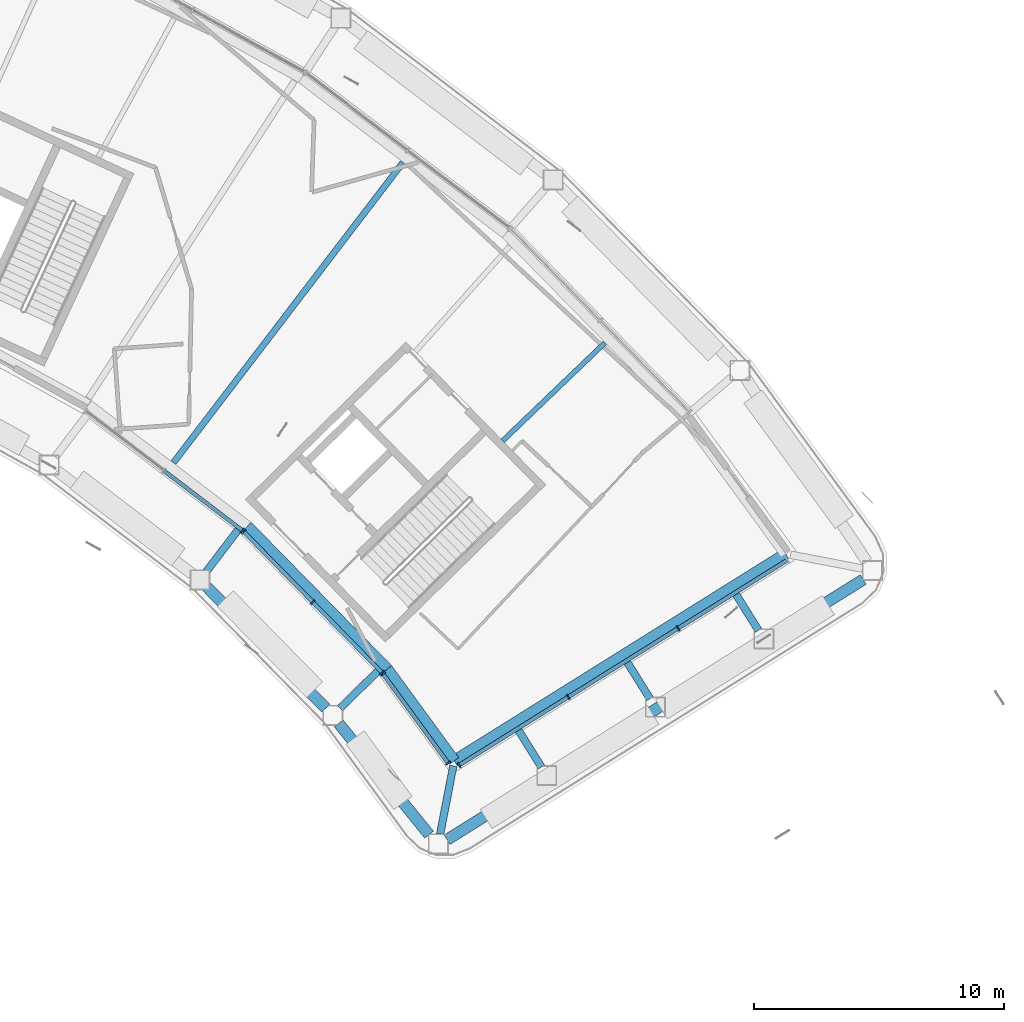
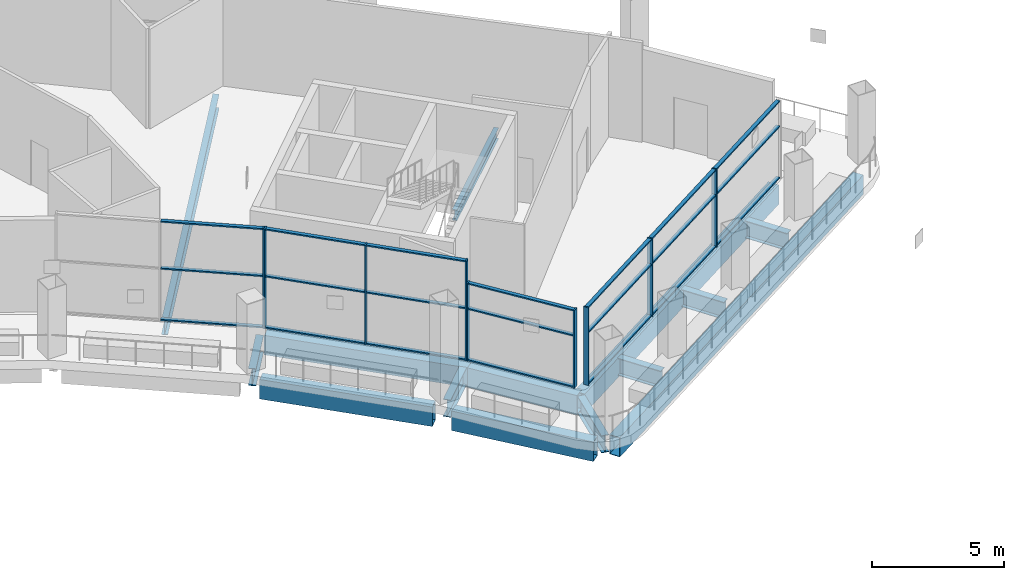
# One storey, part 9 of 29: 30 members, 14 beams, 4 elements without a shape of their own.
"""IFC4 building model written with IfcOpenShell, lengths in metres."""

from ifc_helpers import new_model, si_unit, direction, frame, origin, origin_2d, place, context, subcontext, project, spatial, rectangle, hollow_rectangle, i_section, extrude, material, layer, layer_set, material_profile, profile_set, type_object, element, aggregate, save


model = new_model("IFC4")

# Units and contexts
model_context = context("Model", 3, precision=1e-05, world=origin(), true_north=direction((0.0, 1.0)))
body_context = subcontext(model_context, "Body", "Model", "MODEL_VIEW")
ifc_project = project(units=[si_unit("LENGTHUNIT", "METRE"), si_unit("AREAUNIT", "SQUARE_METRE"), si_unit("VOLUMEUNIT", "CUBIC_METRE"), si_unit("PLANEANGLEUNIT", "RADIAN"), si_unit("MASSUNIT", "GRAM", prefix="KILO")], contexts=[model_context])

# Site, building, storey
site_placement = place(None, origin())
site = spatial("IfcSite", under=ifc_project, at=site_placement, CompositionType="ELEMENT")
building_placement = place(site_placement, origin())
building = spatial("IfcBuilding", under=site, at=building_placement, Name="Tuul Gate Civic Tower", CompositionType="ELEMENT")
storey_placement = place(building_placement, frame((0.0, 0.0, 238.89990234375)))
storey = spatial("IfcBuildingStorey", under=building, at=storey_placement, Name="Sky garden level 2", CompositionType="ELEMENT", Elevation=238.89990234375)

# Curtain wall, member
ifc_material_1 = material(Name="Aluminium", Category="aluminium")
ifc_layer_1 = layer(ifc_material_1, 0.199951171875)
ifc_layer_set_1 = layer_set([ifc_layer_1], Name="Aluminium")
curtain_wall_type_1 = type_object("IfcCurtainWallType", Name="Curtain wall CW3", PredefinedType="NOTDEFINED", material=ifc_layer_set_1)
curtain_wall_1_placement = place(storey_placement, origin())
curtain_wall_1 = element("IfcCurtainWall", 1, at=curtain_wall_1_placement, inside=storey, type_object=curtain_wall_type_1, Name="Curtain wall CW3", PredefinedType="NOTDEFINED")
ifc_material_2 = material(Name="Aluminium", Category="aluminium")
ifc_material_profile_1 = material_profile(ifc_material_2, rectangle(XDim=0.219970703125, YDim=0.06005859375, at=origin_2d()), Name="CW3 mullion")
ifc_profile_set_1 = profile_set([ifc_material_profile_1], Name="Aluminium")
member_type_1 = type_object("IfcMemberType", Name="CW3 mullion", PredefinedType="MULLION", material=ifc_profile_set_1)
member_1_placement = place(storey_placement, frame((42.4072265625, -13.96484375, 0.0), z_axis=(0.0, 0.0, 1.0), x_axis=(0.605767160524, 0.795641971763, 0.0)))
member_1 = element("IfcMember", 2, at=member_1_placement, type_object=member_type_1, Name="Mullion", PredefinedType="MULLION", context=body_context, shape_type="SweptSolid", body=[
    extrude(rectangle(XDim=0.219970703125, YDim=0.06005859375, at=origin_2d()), origin(), (0.0, 0.0, 1.0), 4.60009765625),
])

# Curtain wall, members
curtain_wall_2_placement = place(storey_placement, origin())
curtain_wall_2 = element("IfcCurtainWall", 3, at=curtain_wall_2_placement, inside=storey, type_object=curtain_wall_type_1, Name="Curtain wall CW3", PredefinedType="NOTDEFINED")
member_2_placement = place(storey_placement, frame((42.451904296875, -14.00439453125, 0.0), z_axis=(0.0, 0.0, 1.0), x_axis=(0.714099902117, 0.700043805627, 0.0)))
member_2 = element("IfcMember", 4, at=member_2_placement, type_object=member_type_1, Name="Mullion", PredefinedType="MULLION", context=body_context, shape_type="SweptSolid", body=[
    extrude(rectangle(XDim=0.219970703125, YDim=0.06005859375, at=origin_2d()), origin(), (0.0, 0.0, 1.0), 4.60009765625),
])
member_3_placement = place(storey_placement, frame((45.219970703125, -16.827880859375, 0.0), z_axis=(0.0, 0.0, 1.0), x_axis=(0.714099902117, 0.700043805627, 0.0)))
member_3 = element("IfcMember", 5, at=member_3_placement, type_object=member_type_1, Name="Mullion", PredefinedType="MULLION", context=body_context, shape_type="SweptSolid", body=[
    extrude(rectangle(XDim=0.219970703125, YDim=0.06005859375, at=origin_2d()), origin(), (0.0, 0.0, 1.0), 4.60009765625),
])
member_4_placement = place(storey_placement, frame((47.988037109375, -19.651611328125, 0.0), z_axis=(0.0, 0.0, 1.0), x_axis=(0.714099902117, 0.700043805627, 0.0)))
member_4 = element("IfcMember", 6, at=member_4_placement, type_object=member_type_1, Name="Mullion", PredefinedType="MULLION", context=body_context, shape_type="SweptSolid", body=[
    extrude(rectangle(XDim=0.219970703125, YDim=0.06005859375, at=origin_2d()), origin(), (0.0, 0.0, 1.0), 4.60009765625),
])

# Member
ifc_material_3 = material(Name="Aluminium", Category="aluminium")
ifc_material_profile_2 = material_profile(ifc_material_3, rectangle(XDim=0.159912109375, YDim=0.06005859375, at=origin_2d()), Name="CW3 transom")
ifc_profile_set_2 = profile_set([ifc_material_profile_2], Name="Aluminium")
member_type_2 = type_object("IfcMemberType", Name="CW3 transom", PredefinedType="USERDEFINED", material=ifc_profile_set_2)
member_5_placement = place(storey_placement, frame((39.284912109375, -11.587646484375, 0.030029296875), z_axis=(0.79565330062, -0.605752280403, 0.0), x_axis=(0.605752280403, 0.79565330062, 0.0)))
member_5 = element("IfcMember", 7, at=member_5_placement, type_object=member_type_2, Name="Transom", ObjectType="TRANSOM", PredefinedType="USERDEFINED", context=body_context, shape_type="SweptSolid", body=[
    extrude(rectangle(XDim=0.159912109375, YDim=0.06005859375, at=origin_2d()), origin(), (0.0, 0.0, 1.0), 3.89404296875),
])

member_6_placement = place(storey_placement, frame((39.284912109375, -11.587646484375, 2.400146484375), z_axis=(0.79565330062, -0.605752280403, 0.0), x_axis=(0.605752280403, 0.79565330062, 0.0)))
member_6 = element("IfcMember", 8, at=member_6_placement, type_object=member_type_2, Name="Transom", ObjectType="TRANSOM", PredefinedType="USERDEFINED", context=body_context, shape_type="SweptSolid", body=[
    extrude(rectangle(XDim=0.159912109375, YDim=0.06005859375, at=origin_2d()), origin(), (0.0, 0.0, 1.0), 3.89404296875),
])

member_7_placement = place(storey_placement, frame((39.284912109375, -11.587646484375, 4.570068359375), z_axis=(0.79565330062, -0.605752280403, 0.0), x_axis=(0.605752280403, 0.79565330062, 0.0)))
member_7 = element("IfcMember", 9, at=member_7_placement, type_object=member_type_2, Name="Transom", ObjectType="TRANSOM", PredefinedType="USERDEFINED", context=body_context, shape_type="SweptSolid", body=[
    extrude(rectangle(XDim=0.159912109375, YDim=0.06005859375, at=origin_2d()), origin(), (0.0, 0.0, 1.0), 3.89404296875),
])

aggregate(curtain_wall_1, [member_1, member_5, member_6, member_7])

member_8_placement = place(storey_placement, frame((42.472900390625, -14.02587890625, 0.030029296875), z_axis=(0.700050098562, -0.714093732995, 0.0), x_axis=(0.714093732995, 0.700050098562, 0.0)))
member_8 = element("IfcMember", 10, at=member_8_placement, type_object=member_type_2, Name="Transom", ObjectType="TRANSOM", PredefinedType="USERDEFINED", context=body_context, shape_type="SweptSolid", body=[
    extrude(rectangle(XDim=0.159912109375, YDim=0.06005859375, at=origin_2d()), origin(), (0.0, 0.0, 1.0), 3.89404296875),
])

member_9_placement = place(storey_placement, frame((42.472900390625, -14.02587890625, 2.400146484375), z_axis=(0.700050098562, -0.714093732995, 0.0), x_axis=(0.714093732995, 0.700050098562, 0.0)))
member_9 = element("IfcMember", 11, at=member_9_placement, type_object=member_type_2, Name="Transom", ObjectType="TRANSOM", PredefinedType="USERDEFINED", context=body_context, shape_type="SweptSolid", body=[
    extrude(rectangle(XDim=0.159912109375, YDim=0.06005859375, at=origin_2d()), origin(), (0.0, 0.0, 1.0), 3.89404296875),
])

member_10_placement = place(storey_placement, frame((42.472900390625, -14.02587890625, 4.570068359375), z_axis=(0.700050098562, -0.714093732995, 0.0), x_axis=(0.714093732995, 0.700050098562, 0.0)))
member_10 = element("IfcMember", 12, at=member_10_placement, type_object=member_type_2, Name="Transom", ObjectType="TRANSOM", PredefinedType="USERDEFINED", context=body_context, shape_type="SweptSolid", body=[
    extrude(rectangle(XDim=0.159912109375, YDim=0.06005859375, at=origin_2d()), origin(), (0.0, 0.0, 1.0), 3.89404296875),
])

member_11_placement = place(storey_placement, frame((45.240966796875, -16.849365234375, 0.030029296875), z_axis=(0.700050098562, -0.714093732995, 0.0), x_axis=(0.714093732995, 0.700050098562, 0.0)))
member_11 = element("IfcMember", 13, at=member_11_placement, type_object=member_type_2, Name="Transom", ObjectType="TRANSOM", PredefinedType="USERDEFINED", context=body_context, shape_type="SweptSolid", body=[
    extrude(rectangle(XDim=0.159912109375, YDim=0.06005859375, at=origin_2d()), origin(), (0.0, 0.0, 1.0), 3.89404296875),
])

member_12_placement = place(storey_placement, frame((45.240966796875, -16.849365234375, 2.400146484375), z_axis=(0.700050098562, -0.714093732995, 0.0), x_axis=(0.714093732995, 0.700050098562, 0.0)))
member_12 = element("IfcMember", 14, at=member_12_placement, type_object=member_type_2, Name="Transom", ObjectType="TRANSOM", PredefinedType="USERDEFINED", context=body_context, shape_type="SweptSolid", body=[
    extrude(rectangle(XDim=0.159912109375, YDim=0.06005859375, at=origin_2d()), origin(), (0.0, 0.0, 1.0), 3.89404296875),
])

member_13_placement = place(storey_placement, frame((45.240966796875, -16.849365234375, 4.570068359375), z_axis=(0.700050098562, -0.714093732995, 0.0), x_axis=(0.714093732995, 0.700050098562, 0.0)))
member_13 = element("IfcMember", 15, at=member_13_placement, type_object=member_type_2, Name="Transom", ObjectType="TRANSOM", PredefinedType="USERDEFINED", context=body_context, shape_type="SweptSolid", body=[
    extrude(rectangle(XDim=0.159912109375, YDim=0.06005859375, at=origin_2d()), origin(), (0.0, 0.0, 1.0), 3.89404296875),
])

aggregate(curtain_wall_2, [member_2, member_3, member_4, member_8, member_9, member_10, member_11, member_12, member_13])

# Curtain wall, members
ifc_material_4 = material(Name="Aluminium", Category="aluminium")
ifc_layer_2 = layer(ifc_material_4, 0.199951171875)
ifc_layer_set_2 = layer_set([ifc_layer_2], Name="Aluminium")
curtain_wall_type_2 = type_object("IfcCurtainWallType", Name="Curtain wall CW3B", PredefinedType="NOTDEFINED", material=ifc_layer_set_2)
curtain_wall_3_placement = place(storey_placement, origin())
curtain_wall_3 = element("IfcCurtainWall", 16, at=curtain_wall_3_placement, inside=storey, type_object=curtain_wall_type_2, Name="Curtain wall CW3B", PredefinedType="NOTDEFINED")
ifc_material_5 = material(Name="Aluminium", Category="aluminium")
ifc_material_profile_3 = material_profile(ifc_material_5, rectangle(XDim=0.219970703125, YDim=0.06005859375, at=origin_2d()), Name="CW3B mullion")
ifc_profile_set_3 = profile_set([ifc_material_profile_3], Name="Aluminium")
member_type_3 = type_object("IfcMemberType", Name="CW3B mullion", PredefinedType="MULLION", material=ifc_profile_set_3)
member_14_placement = place(storey_placement, frame((48.026611328125, -19.697265625, 0.0), z_axis=(0.0, 0.0, 1.0), x_axis=(0.807566892229, 0.589775986774, 0.0)))
member_14 = element("IfcMember", 17, at=member_14_placement, type_object=member_type_3, Name="Mullion", PredefinedType="MULLION", context=body_context, shape_type="SweptSolid", body=[
    extrude(rectangle(XDim=0.219970703125, YDim=0.06005859375, at=origin_2d()), origin(), (0.0, 0.0, 1.0), 3.59521484375),
])
member_15_placement = place(storey_placement, frame((50.63427734375, -23.267822265625, 0.0), z_axis=(0.0, 0.0, 1.0), x_axis=(0.807566892229, 0.589775986774, 0.0)))
member_15 = element("IfcMember", 18, at=member_15_placement, type_object=member_type_3, Name="Mullion", PredefinedType="MULLION", context=body_context, shape_type="SweptSolid", body=[
    extrude(rectangle(XDim=0.219970703125, YDim=0.06005859375, at=origin_2d()), origin(), (0.0, 0.0, 1.0), 3.59521484375),
])

curtain_wall_4_placement = place(storey_placement, origin())
curtain_wall_4 = element("IfcCurtainWall", 19, at=curtain_wall_4_placement, inside=storey, type_object=curtain_wall_type_2, Name="Curtain wall CW3B", PredefinedType="NOTDEFINED")
member_16_placement = place(storey_placement, frame((51.078369140625, -23.35400390625, 0.0), z_axis=(0.0, 0.0, 1.0), x_axis=(-0.529929534473, 0.848041678512, 0.0)))
member_16 = element("IfcMember", 20, at=member_16_placement, type_object=member_type_3, Name="Mullion", PredefinedType="MULLION", context=body_context, shape_type="SweptSolid", body=[
    extrude(rectangle(XDim=0.219970703125, YDim=0.06005859375, at=origin_2d()), origin(), (0.0, 0.0, 1.0), 3.59521484375),
])
member_17_placement = place(storey_placement, frame((55.4462890625, -20.624755859375, 0.0), z_axis=(0.0, 0.0, 1.0), x_axis=(-0.529929534473, 0.848041678512, 0.0)))
member_17 = element("IfcMember", 21, at=member_17_placement, type_object=member_type_3, Name="Mullion", PredefinedType="MULLION", context=body_context, shape_type="SweptSolid", body=[
    extrude(rectangle(XDim=0.219970703125, YDim=0.06005859375, at=origin_2d()), origin(), (0.0, 0.0, 1.0), 3.59521484375),
])
member_18_placement = place(storey_placement, frame((59.839599609375, -17.87939453125, 0.0), z_axis=(0.0, 0.0, 1.0), x_axis=(-0.529929534473, 0.848041678512, 0.0)))
member_18 = element("IfcMember", 22, at=member_18_placement, type_object=member_type_3, Name="Mullion", PredefinedType="MULLION", context=body_context, shape_type="SweptSolid", body=[
    extrude(rectangle(XDim=0.219970703125, YDim=0.06005859375, at=origin_2d()), origin(), (0.0, 0.0, 1.0), 3.59521484375),
])

# Member
ifc_material_6 = material(Name="Aluminium", Category="aluminium")
ifc_material_profile_4 = material_profile(ifc_material_6, rectangle(XDim=0.159912109375, YDim=0.06005859375, at=origin_2d()), Name="CW3B transom")
ifc_profile_set_4 = profile_set([ifc_material_profile_4], Name="Aluminium")
member_type_4 = type_object("IfcMemberType", Name="CW3B transom", PredefinedType="USERDEFINED", material=ifc_profile_set_4)
member_19_placement = place(storey_placement, frame((48.04443359375, -19.721435546875, 0.030029296875), z_axis=(0.589768148936, -0.80757261624, 0.0), x_axis=(0.80757261624, 0.589768148936, 0.0)))
member_19 = element("IfcMember", 23, at=member_19_placement, type_object=member_type_4, Name="Transom", ObjectType="TRANSOM", PredefinedType="USERDEFINED", context=body_context, shape_type="SweptSolid", body=[
    extrude(rectangle(XDim=0.159912109375, YDim=0.06005859375, at=origin_2d()), origin(), (0.0, 0.0, 1.0), 4.361572265625),
])

member_20_placement = place(storey_placement, frame((48.04443359375, -19.721435546875, 2.400146484375), z_axis=(0.589768148936, -0.80757261624, 0.0), x_axis=(0.80757261624, 0.589768148936, 0.0)))
member_20 = element("IfcMember", 24, at=member_20_placement, type_object=member_type_4, Name="Transom", ObjectType="TRANSOM", PredefinedType="USERDEFINED", context=body_context, shape_type="SweptSolid", body=[
    extrude(rectangle(XDim=0.159912109375, YDim=0.06005859375, at=origin_2d()), origin(), (0.0, 0.0, 1.0), 4.361572265625),
])

member_21_placement = place(storey_placement, frame((48.04443359375, -19.721435546875, 3.565185546875), z_axis=(0.589768148936, -0.80757261624, 0.0), x_axis=(0.80757261624, 0.589768148936, 0.0)))
member_21 = element("IfcMember", 25, at=member_21_placement, type_object=member_type_4, Name="Transom", ObjectType="TRANSOM", PredefinedType="USERDEFINED", context=body_context, shape_type="SweptSolid", body=[
    extrude(rectangle(XDim=0.159912109375, YDim=0.06005859375, at=origin_2d()), origin(), (0.0, 0.0, 1.0), 4.361572265625),
])

aggregate(curtain_wall_3, [member_14, member_15, member_19, member_20, member_21])

member_22_placement = place(storey_placement, frame((51.10400390625, -23.338134765625, 0.030029296875), z_axis=(0.848046800365, 0.529921337927, 0.0), x_axis=(-0.529921337927, 0.848046800365, 0.0)))
member_22 = element("IfcMember", 26, at=member_22_placement, type_object=member_type_4, Name="Transom", ObjectType="TRANSOM", PredefinedType="USERDEFINED", context=body_context, shape_type="SweptSolid", body=[
    extrude(rectangle(XDim=0.159912109375, YDim=0.06005859375, at=origin_2d()), origin(), (0.0, 0.0, 1.0), 5.09033203125),
])

member_23_placement = place(storey_placement, frame((51.10400390625, -23.338134765625, 2.400146484375), z_axis=(0.848046800365, 0.529921337927, 0.0), x_axis=(-0.529921337927, 0.848046800365, 0.0)))
member_23 = element("IfcMember", 27, at=member_23_placement, type_object=member_type_4, Name="Transom", ObjectType="TRANSOM", PredefinedType="USERDEFINED", context=body_context, shape_type="SweptSolid", body=[
    extrude(rectangle(XDim=0.159912109375, YDim=0.06005859375, at=origin_2d()), origin(), (0.0, 0.0, 1.0), 5.09033203125),
])

member_24_placement = place(storey_placement, frame((51.10400390625, -23.338134765625, 3.565185546875), z_axis=(0.848046800365, 0.529921337927, 0.0), x_axis=(-0.529921337927, 0.848046800365, 0.0)))
member_24 = element("IfcMember", 28, at=member_24_placement, type_object=member_type_4, Name="Transom", ObjectType="TRANSOM", PredefinedType="USERDEFINED", context=body_context, shape_type="SweptSolid", body=[
    extrude(rectangle(XDim=0.159912109375, YDim=0.06005859375, at=origin_2d()), origin(), (0.0, 0.0, 1.0), 5.09033203125),
])

member_25_placement = place(storey_placement, frame((55.4716796875, -20.60888671875, 0.030029296875), z_axis=(0.84803847918, 0.529934654303, 0.0), x_axis=(-0.529934654303, 0.84803847918, 0.0)))
member_25 = element("IfcMember", 29, at=member_25_placement, type_object=member_type_4, Name="Transom", ObjectType="TRANSOM", PredefinedType="USERDEFINED", context=body_context, shape_type="SweptSolid", body=[
    extrude(rectangle(XDim=0.159912109375, YDim=0.06005859375, at=origin_2d()), origin(), (0.0, 0.0, 1.0), 5.12060546875),
])

member_26_placement = place(storey_placement, frame((55.4716796875, -20.60888671875, 2.400146484375), z_axis=(0.84803847918, 0.529934654303, 0.0), x_axis=(-0.529934654303, 0.84803847918, 0.0)))
member_26 = element("IfcMember", 30, at=member_26_placement, type_object=member_type_4, Name="Transom", ObjectType="TRANSOM", PredefinedType="USERDEFINED", context=body_context, shape_type="SweptSolid", body=[
    extrude(rectangle(XDim=0.159912109375, YDim=0.06005859375, at=origin_2d()), origin(), (0.0, 0.0, 1.0), 5.12060546875),
])

member_27_placement = place(storey_placement, frame((55.4716796875, -20.60888671875, 3.565185546875), z_axis=(0.84803847918, 0.529934654303, 0.0), x_axis=(-0.529934654303, 0.84803847918, 0.0)))
member_27 = element("IfcMember", 31, at=member_27_placement, type_object=member_type_4, Name="Transom", ObjectType="TRANSOM", PredefinedType="USERDEFINED", context=body_context, shape_type="SweptSolid", body=[
    extrude(rectangle(XDim=0.159912109375, YDim=0.06005859375, at=origin_2d()), origin(), (0.0, 0.0, 1.0), 5.12060546875),
])

member_28_placement = place(storey_placement, frame((59.864990234375, -17.863525390625, 0.030029296875), z_axis=(0.848038715461, 0.529934276189, 0.0), x_axis=(-0.529934276189, 0.848038715461, 0.0)))
member_28 = element("IfcMember", 32, at=member_28_placement, type_object=member_type_4, Name="Transom", ObjectType="TRANSOM", PredefinedType="USERDEFINED", context=body_context, shape_type="SweptSolid", body=[
    extrude(rectangle(XDim=0.159912109375, YDim=0.06005859375, at=origin_2d()), origin(), (0.0, 0.0, 1.0), 5.0908203125),
])

member_29_placement = place(storey_placement, frame((59.864990234375, -17.863525390625, 2.400146484375), z_axis=(0.848038715461, 0.529934276189, 0.0), x_axis=(-0.529934276189, 0.848038715461, 0.0)))
member_29 = element("IfcMember", 33, at=member_29_placement, type_object=member_type_4, Name="Transom", ObjectType="TRANSOM", PredefinedType="USERDEFINED", context=body_context, shape_type="SweptSolid", body=[
    extrude(rectangle(XDim=0.159912109375, YDim=0.06005859375, at=origin_2d()), origin(), (0.0, 0.0, 1.0), 5.0908203125),
])

member_30_placement = place(storey_placement, frame((59.864990234375, -17.863525390625, 3.565185546875), z_axis=(0.848038715461, 0.529934276189, 0.0), x_axis=(-0.529934276189, 0.848038715461, 0.0)))
member_30 = element("IfcMember", 34, at=member_30_placement, type_object=member_type_4, Name="Transom", ObjectType="TRANSOM", PredefinedType="USERDEFINED", context=body_context, shape_type="SweptSolid", body=[
    extrude(rectangle(XDim=0.159912109375, YDim=0.06005859375, at=origin_2d()), origin(), (0.0, 0.0, 1.0), 5.0908203125),
])

aggregate(curtain_wall_4, [member_16, member_17, member_18, member_22, member_23, member_24, member_25, member_26, member_27, member_28, member_29, member_30])

# Beams
ifc_material_7 = material(Name="Steel S355", Category="steel")
ifc_material_profile_5 = material_profile(ifc_material_7, i_section(OverallWidth=0.199951171875, OverallDepth=0.5, WebThickness=0.010009765625, FlangeThickness=0.01611328125, at=origin_2d()), Name="PG500x200x10x16")
ifc_profile_set_5 = profile_set([ifc_material_profile_5], Name="Steel S355")
beam_type_1 = type_object("IfcBeamType", Name="STR-FLOOR BEAM-PG500x200x10x16", PredefinedType="BEAM", material=ifc_profile_set_5)
beam_1_placement = place(storey_placement, frame((52.819580078125, -10.372802734375, -0.64990234375), z_axis=(0.721718548798, 0.692186634023, 0.0), x_axis=(-0.692186634023, 0.721718548798, 0.0)))
element("IfcBeam", 35, at=beam_1_placement, inside=storey, type_object=beam_type_1, Name="Floor beam", PredefinedType="BEAM", context=body_context, shape_type="SweptSolid", body=[
    extrude(i_section(OverallWidth=0.199951171875, OverallDepth=0.5, WebThickness=0.010009765625, FlangeThickness=0.01611328125, at=origin_2d()), origin(), (0.0, 0.0, 1.0), 5.654541015625),
])
ifc_material_8 = material(Name="Steel S355", Category="steel")
ifc_material_profile_6 = material_profile(ifc_material_8, i_section(OverallWidth=0.25, OverallDepth=0.64990234375, WebThickness=0.011962890625, FlangeThickness=0.02001953125, at=origin_2d()), Name="PG650x250x12x20")
ifc_profile_set_6 = profile_set([ifc_material_profile_6], Name="Steel S355")
beam_type_2 = type_object("IfcBeamType", Name="STR-FLOOR BEAM-PG650x250x12x20", PredefinedType="BEAM", material=ifc_profile_set_6)
beam_2_placement = place(storey_placement, frame((39.650634765625, -11.237548828125, -0.724853515625), z_axis=(0.607352282815, 0.794432630598, 0.0), x_axis=(-0.794432630598, 0.607352282815, 0.0)))
element("IfcBeam", 36, at=beam_2_placement, inside=storey, type_object=beam_type_2, Name="Floor beam", PredefinedType="BEAM", context=body_context, shape_type="SweptSolid", body=[
    extrude(i_section(OverallWidth=0.25, OverallDepth=0.64990234375, WebThickness=0.011962890625, FlangeThickness=0.02001953125, at=origin_2d()), origin(), (0.0, 0.0, 1.0), 15.10009765625),
])
ifc_material_9 = material(Name="Steel S355", Category="steel")
ifc_material_profile_7 = material_profile(ifc_material_9, i_section(OverallWidth=0.300048828125, OverallDepth=0.800048828125, WebThickness=0.013916015625, FlangeThickness=0.02490234375, at=origin_2d()), Name="PG800x300x14x25")
ifc_profile_set_7 = profile_set([ifc_material_profile_7], Name="Steel S355")
beam_type_3 = type_object("IfcBeamType", Name="STR-FLOOR BEAM-PG800x300x14x25", PredefinedType="BEAM", material=ifc_profile_set_7)
beam_3_placement = place(storey_placement, frame((40.9482421875, -15.61962890625, -0.7998046875), z_axis=(0.605781697239, 0.795630903931, 0.0), x_axis=(-0.795630903931, 0.605781697239, 0.0)))
element("IfcBeam", 37, at=beam_3_placement, inside=storey, type_object=beam_type_3, Name="Terrace beam", PredefinedType="BEAM", context=body_context, shape_type="SweptSolid", body=[
    extrude(i_section(OverallWidth=0.300048828125, OverallDepth=0.800048828125, WebThickness=0.013916015625, FlangeThickness=0.02490234375, at=origin_2d()), origin(), (0.0, 0.0, 1.0), 2.25048828125),
])
beam_4_placement = place(storey_placement, frame((46.306640625, -21.0791015625, -0.7998046875), z_axis=(0.714070712011, 0.700073580595, 0.0), x_axis=(-0.700073580595, 0.714070712011, 0.0)))
element("IfcBeam", 38, at=beam_4_placement, inside=storey, type_object=beam_type_3, Name="Terrace beam", PredefinedType="BEAM", context=body_context, shape_type="SweptSolid", body=[
    extrude(i_section(OverallWidth=0.300048828125, OverallDepth=0.800048828125, WebThickness=0.013916015625, FlangeThickness=0.02490234375, at=origin_2d()), origin(), (0.0, 0.0, 1.0), 2.25),
])
beam_5_placement = place(storey_placement, frame((50.31689453125, -26.108154296875, -0.7998046875), z_axis=(0.189541231012, 0.981872762504, 0.0), x_axis=(-0.981872762504, 0.189541231012, 0.0)))
element("IfcBeam", 39, at=beam_5_placement, inside=storey, type_object=beam_type_3, Name="Terrace beam", PredefinedType="BEAM", context=body_context, shape_type="SweptSolid", body=[
    extrude(i_section(OverallWidth=0.300048828125, OverallDepth=0.800048828125, WebThickness=0.013916015625, FlangeThickness=0.02490234375, at=origin_2d()), origin(), (0.0, 0.0, 1.0), 2.779541015625),
])
beam_6_placement = place(storey_placement, frame((54.37109375, -23.427734375, -0.7998046875), z_axis=(-0.529975303861, 0.848013076136, 0.0), x_axis=(-0.848013076136, -0.529975303861, 0.0)))
element("IfcBeam", 40, at=beam_6_placement, inside=storey, type_object=beam_type_3, Name="Terrace beam", PredefinedType="BEAM", context=body_context, shape_type="SweptSolid", body=[
    extrude(i_section(OverallWidth=0.300048828125, OverallDepth=0.800048828125, WebThickness=0.013916015625, FlangeThickness=0.02490234375, at=origin_2d()), origin(), (0.0, 0.0, 1.0), 1.85693359375),
])
beam_7_placement = place(storey_placement, frame((58.714111328125, -20.69287109375, -0.7998046875), z_axis=(-0.529987009252, 0.848005760608, 0.0), x_axis=(-0.848005760608, -0.529987009252, 0.0)))
element("IfcBeam", 41, at=beam_7_placement, inside=storey, type_object=beam_type_3, Name="Terrace beam", PredefinedType="BEAM", context=body_context, shape_type="SweptSolid", body=[
    extrude(i_section(OverallWidth=0.300048828125, OverallDepth=0.800048828125, WebThickness=0.013916015625, FlangeThickness=0.02490234375, at=origin_2d()), origin(), (0.0, 0.0, 1.0), 1.83935546875),
])
beam_8_placement = place(storey_placement, frame((63.055908203125, -17.957763671875, -0.7998046875), z_axis=(-0.529890465163, 0.848066091133, 0.0), x_axis=(-0.848066091133, -0.529890465163, 0.0)))
element("IfcBeam", 42, at=beam_8_placement, inside=storey, type_object=beam_type_3, Name="Terrace beam", PredefinedType="BEAM", context=body_context, shape_type="SweptSolid", body=[
    extrude(i_section(OverallWidth=0.300048828125, OverallDepth=0.800048828125, WebThickness=0.013916015625, FlangeThickness=0.02490234375, at=origin_2d()), origin(), (0.0, 0.0, 1.0), 1.82080078125),
])
ifc_material_10 = material(Name="Steel S355", Category="steel")
ifc_material_profile_8 = material_profile(ifc_material_10, hollow_rectangle(XDim=0.449951171875, YDim=0.89990234375, WallThickness=0.02490234375, at=origin_2d()), Name="BOX900x450x25")
ifc_profile_set_8 = profile_set([ifc_material_profile_8], Name="Steel S355")
beam_type_4 = type_object("IfcBeamType", Name="STR-SPANDREL BEAM-BOX900x450x25", PredefinedType="BEAM", material=ifc_profile_set_8)
beam_9_placement = place(storey_placement, frame((64.1455078125, -14.89404296875, -0.849853515625), z_axis=(-0.848037763373, -0.529935799785, 0.0), x_axis=(0.529935799785, -0.848037763373, 0.0)))
element("IfcBeam", 43, at=beam_9_placement, inside=storey, type_object=beam_type_4, Name="Spandrel beam", PredefinedType="BEAM", context=body_context, shape_type="SweptSolid", body=[
    extrude(hollow_rectangle(XDim=0.449951171875, YDim=0.89990234375, WallThickness=0.02490234375, at=origin_2d()), origin(), (0.0, 0.0, 1.0), 15.640625),
])
beam_10_placement = place(storey_placement, frame((50.881591796875, -23.1826171875, -0.849853515625), z_axis=(-0.589741838933, 0.807591829708, 0.0), x_axis=(-0.807591829708, -0.589741838933, 0.0)))
element("IfcBeam", 44, at=beam_10_placement, inside=storey, type_object=beam_type_4, Name="Spandrel beam", PredefinedType="BEAM", context=body_context, shape_type="SweptSolid", body=[
    extrude(hollow_rectangle(XDim=0.449951171875, YDim=0.89990234375, WallThickness=0.02490234375, at=origin_2d()), origin(), (0.0, 0.0, 1.0), 4.54541015625),
])
beam_11_placement = place(storey_placement, frame((48.200927734375, -19.51171875, -0.849853515625), z_axis=(-0.700026279004, 0.71411708333, 0.0), x_axis=(-0.71411708333, -0.700026279004, 0.0)))
element("IfcBeam", 45, at=beam_11_placement, inside=storey, type_object=beam_type_4, Name="Spandrel beam", PredefinedType="BEAM", context=body_context, shape_type="SweptSolid", body=[
    extrude(hollow_rectangle(XDim=0.449951171875, YDim=0.89990234375, WallThickness=0.02490234375, at=origin_2d()), origin(), (0.0, 0.0, 1.0), 8.004638671875),
])
beam_12_placement = place(storey_placement, frame((40.986083984375, -16.2236328125, -0.849853515625), z_axis=(0.700080754947, -0.71406367822, 0.0), x_axis=(0.71406367822, 0.700080754947, 0.0)))
element("IfcBeam", 46, at=beam_12_placement, inside=storey, type_object=beam_type_4, Name="Terrace edge beam", PredefinedType="BEAM", context=body_context, shape_type="SweptSolid", body=[
    extrude(hollow_rectangle(XDim=0.449951171875, YDim=0.89990234375, WallThickness=0.02490234375, at=origin_2d()), origin(), (0.0, 0.0, 1.0), 6.7919921875),
])
beam_13_placement = place(storey_placement, frame((46.2568359375, -21.68212890625, -0.849853515625), z_axis=(0.630642266097, -0.776073664166, 0.0), x_axis=(0.776073664166, 0.630642266097, 0.0)))
element("IfcBeam", 47, at=beam_13_placement, inside=storey, type_object=beam_type_4, Name="Terrace edge beam", PredefinedType="BEAM", context=body_context, shape_type="SweptSolid", body=[
    extrude(hollow_rectangle(XDim=0.449951171875, YDim=0.89990234375, WallThickness=0.02490234375, at=origin_2d()), origin(), (0.0, 0.0, 1.0), 5.739501953125),
])
beam_14_placement = place(storey_placement, frame((50.595703125, -26.335205078125, -0.849853515625), z_axis=(0.847973855304, 0.530038055917, 0.0), x_axis=(-0.530038055917, 0.847973855304, 0.0)))
element("IfcBeam", 48, at=beam_14_placement, inside=storey, type_object=beam_type_4, Name="Terrace edge beam", PredefinedType="BEAM", context=body_context, shape_type="SweptSolid", body=[
    extrude(hollow_rectangle(XDim=0.449951171875, YDim=0.89990234375, WallThickness=0.02490234375, at=origin_2d()), origin(), (0.0, 0.0, 1.0), 19.6357421875),
])

save(model, "model.ifc")
